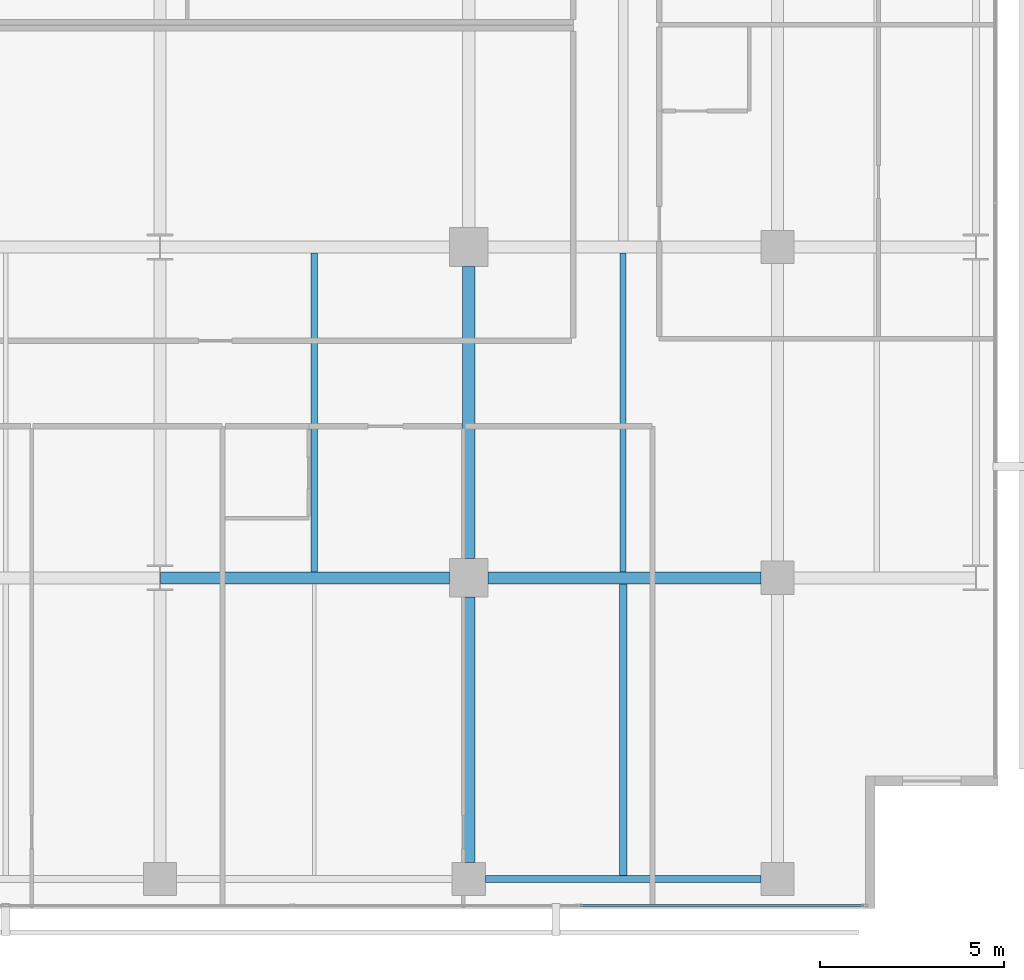
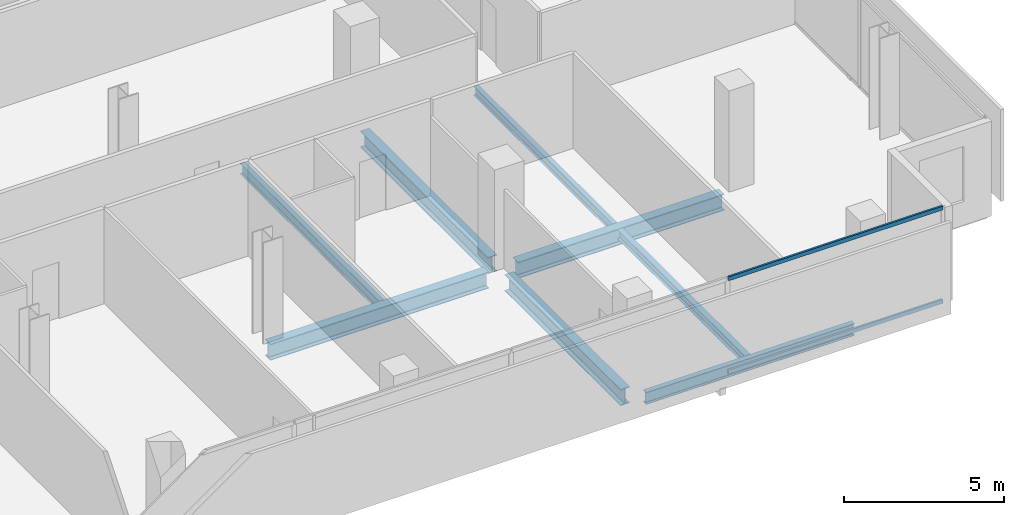
# One storey, part 15 of 39: 8 beams, 2 members, 1 element without a shape of its own.
"""IFC4 building model written with IfcOpenShell, lengths in metres."""

import ifcopenshell
import ifcopenshell.guid

model = None  # the IFC model being written
_history = None  # IfcOwnerHistory: only IFC2X3 demands one
_inside = {}  # id of a spatial element -> (the spatial element, [elements in it])
_under = {}  # id of a project, library or spatial element -> (it, [spatial elements below it])
_declared = {}  # id of a project -> (the project, [libraries it declares])
_typed = {}  # id of a type object -> (the type object, [elements of that type])
_made_of = {}  # id of a material, layer set ... -> (it, [elements and type objects made of it])


def new_model(schema):
    """Start an empty IFC model of exactly this schema.

    Asked for "IFC4X3", IfcOpenShell would pick the latest addendum, in which some entities
    have other attributes; the version numbers below select the first issue.
    IFC2X3 requires an IfcOwnerHistory on every rooted entity: one is made here for all.
    """
    global model, _history
    if schema == "IFC4X3":
        model = ifcopenshell.file(schema_version=(4, 3, 0, 0))
    else:
        model = ifcopenshell.file(schema=schema)
    _inside.clear()
    _under.clear()
    _declared.clear()
    _typed.clear()
    _made_of.clear()
    _history = None
    if model.schema == "IFC2X3":
        org = make("IfcOrganization", Name="unknown")
        user = make(
            "IfcPersonAndOrganization",
            ThePerson=make("IfcPerson", FamilyName="unknown"),
            TheOrganization=org,
        )
        app = make(
            "IfcApplication",
            ApplicationDeveloper=org,
            Version="unknown",
            ApplicationFullName="unknown",
            ApplicationIdentifier="unknown",
        )
        _history = make(
            "IfcOwnerHistory",
            OwningUser=user,
            OwningApplication=app,
            ChangeAction="ADDED",
            CreationDate=0,
        )
    return model


def make(cls, **values):
    """One entity of the class cls with the attributes given. An attribute that is None is left unset."""
    return model.create_entity(
        cls, **{name: value for name, value in values.items() if value is not None}
    )


def rooted(cls, **values):
    """An entity with a GlobalId (a new one), such as an element, a storey or a relation."""
    return make(cls, GlobalId=ifcopenshell.guid.new(), OwnerHistory=_history, **values)


def si_unit(unit_type, name, prefix=None):
    """IfcSIUnit, for example si_unit("LENGTHUNIT", "METRE", prefix="MILLI")."""
    return make("IfcSIUnit", UnitType=unit_type, Prefix=prefix, Name=name)


def assignment(units):
    """IfcUnitAssignment: the units of a project."""
    return None if units is None else make("IfcUnitAssignment", Units=units)


def point(xyz):
    """IfcCartesianPoint."""
    return None if xyz is None else make("IfcCartesianPoint", Coordinates=xyz)


def direction(xyz):
    """IfcDirection."""
    return None if xyz is None else make("IfcDirection", DirectionRatios=xyz)


def frame(location, z_axis=None, x_axis=None):
    """IfcAxis2Placement3D, a coordinate frame: its origin and axes. An axis left out is left unset."""
    return make(
        "IfcAxis2Placement3D",
        Location=point(location),
        Axis=direction(z_axis),
        RefDirection=direction(x_axis),
    )


def frame_2d(location, x_axis=None):
    """IfcAxis2Placement2D, a coordinate frame in the plane: its origin and x axis."""
    return make(
        "IfcAxis2Placement2D", Location=point(location), RefDirection=direction(x_axis)
    )


def origin():
    """The frame at (0, 0, 0) with its axes left unset."""
    return frame((0.0, 0.0, 0.0))


def origin_2d():
    """The frame at (0, 0) in the plane with its x axis left unset."""
    return frame_2d((0.0, 0.0))


def place(relative_to, where):
    """IfcLocalPlacement: puts the frame where relative to a parent placement (None: the world)."""
    return make(
        "IfcLocalPlacement", PlacementRelTo=relative_to, RelativePlacement=where
    )


def context(
    kind, dimensions, precision=None, world=None, true_north=None, identifier=None
):
    """IfcGeometricRepresentationContext, for example the 3D "Model" context."""
    return make(
        "IfcGeometricRepresentationContext",
        ContextIdentifier=identifier,
        ContextType=kind,
        CoordinateSpaceDimension=dimensions,
        Precision=precision,
        WorldCoordinateSystem=world,
        TrueNorth=true_north,
    )


def subcontext(parent, identifier, kind, view, scale=None):
    """IfcGeometricRepresentationSubContext, for example "Body" below "Model"."""
    return make(
        "IfcGeometricRepresentationSubContext",
        ContextIdentifier=identifier,
        ContextType=kind,
        ParentContext=parent,
        TargetScale=scale,
        TargetView=view,
    )


def project(units=None, contexts=None):
    """IfcProject with its units and contexts."""
    return rooted(
        "IfcProject",
        Name="project",
        RepresentationContexts=contexts,
        UnitsInContext=assignment(units),
    )


def spatial(cls, under=None, at=None, **own):
    """A site, building, storey or space (cls), placed at a placement, below another one or the project."""
    s = rooted(cls, ObjectPlacement=at, **own)
    if under is not None:
        _under.setdefault(under.id(), (under, []))[1].append(s)
    return s


def profile(cls, at=None, kind="AREA", **sizes):
    """A parametric profile (cls). Its sizes go by their IFC names, for example OverallWidth=200.0."""
    return make(cls, ProfileType=kind, Position=at, **sizes)


def hollow_rectangle(**sizes):
    """IfcRectangleHollowProfileDef."""
    return profile("IfcRectangleHollowProfileDef", **sizes)


def i_section(**sizes):
    """IfcIShapeProfileDef."""
    return profile("IfcIShapeProfileDef", **sizes)


def extrude(swept, where, along, depth):
    """IfcExtrudedAreaSolid: the profile swept, set in the frame where, extruded along a direction by depth."""
    return make(
        "IfcExtrudedAreaSolid",
        SweptArea=swept,
        Position=where,
        ExtrudedDirection=direction(along),
        Depth=depth,
    )


def shape(context_of_items, identifier, shape_type, items):
    """IfcShapeRepresentation: the items that make up one representation, for example the "Body"."""
    return make(
        "IfcShapeRepresentation",
        ContextOfItems=context_of_items,
        RepresentationIdentifier=identifier,
        RepresentationType=shape_type,
        Items=items,
    )


def material(Name=None, Category=None):
    """IfcMaterial."""
    return make("IfcMaterial", Name=Name, Category=Category)


def layer(
    of_material, thickness, ventilated=None, Name=None, Category=None, Priority=None
):
    """IfcMaterialLayer: one layer of a wall or slab, of a material (None: an air gap)."""
    return make(
        "IfcMaterialLayer",
        Material=of_material,
        LayerThickness=thickness,
        IsVentilated=ventilated,
        Name=Name,
        Category=Category,
        Priority=Priority,
    )


def layer_set(layers, Name=None):
    """IfcMaterialLayerSet."""
    return make("IfcMaterialLayerSet", MaterialLayers=layers, LayerSetName=Name)


def material_profile(
    of_material, cross_section, Name=None, Category=None, Priority=None
):
    """IfcMaterialProfile: a cross section and its material."""
    return make(
        "IfcMaterialProfile",
        Name=Name,
        Material=of_material,
        Profile=cross_section,
        Priority=Priority,
        Category=Category,
    )


def profile_set(profiles, Name=None, composite=None):
    """IfcMaterialProfileSet."""
    return make(
        "IfcMaterialProfileSet",
        Name=Name,
        MaterialProfiles=profiles,
        CompositeProfile=composite,
    )


def made_of(thing, what):
    """Note that an element or type object is made of a material, layer set ...; save() writes the relation."""
    if what is not None:
        _made_of.setdefault(what.id(), (what, []))[1].append(thing)
    return thing


def type_object(cls, material=None, **own):
    """A type object (cls), such as IfcWallType, which elements share."""
    return made_of(rooted(cls, **own), material)


def element(
    cls,
    number,
    at=None,
    inside=None,
    cuts=None,
    type_object=None,
    material=None,
    context=None,
    identifier="Body",
    shape_type=None,
    held_by="IfcProductDefinitionShape",
    body=None,
    shapes=None,
    **own,
):
    """One element of the class cls, such as IfcWall. Its Tag is "e" and its number.

    at: its placement. inside: the storey or other place that contains it. cuts: it is an
    opening in that element (IfcRelVoidsElement). A single representation is given by context,
    identifier, shape_type and body (its items); several are given by shapes. held_by: the class
    of the entity that holds the representations. save() writes the other relations.
    """
    e = rooted(cls, Tag="e%d" % number, ObjectPlacement=at, **own)
    if body is not None:
        shapes = [shape(context, identifier, shape_type, body)]
    if shapes is not None:
        e.Representation = make(held_by, Representations=shapes)
    if inside is not None:
        _inside.setdefault(inside.id(), (inside, []))[1].append(e)
    if cuts is not None:
        rooted(
            "IfcRelVoidsElement", RelatingBuildingElement=cuts, RelatedOpeningElement=e
        )
    if type_object is not None:
        _typed.setdefault(type_object.id(), (type_object, []))[1].append(e)
    return made_of(e, material)


def aggregate(whole, parts):
    """IfcRelAggregates: a whole, such as a stair, and the parts it consists of."""
    return rooted("IfcRelAggregates", RelatingObject=whole, RelatedObjects=parts)


def save(model, path):
    """Write the relations noted so far, then the file.

    IfcRelAggregates (storeys below a building ...), IfcRelContainedInSpatialStructure (elements
    in a storey), IfcRelDefinesByType, IfcRelAssociatesMaterial and IfcRelDeclares: one each for
    every whole, place, type object, material and project.
    """
    for whole, parts in _under.values():
        aggregate(whole, parts)
    for where, things in _inside.values():
        rooted(
            "IfcRelContainedInSpatialStructure",
            RelatedElements=things,
            RelatingStructure=where,
        )
    for kind, things in _typed.values():
        rooted("IfcRelDefinesByType", RelatedObjects=things, RelatingType=kind)
    for what, things in _made_of.values():
        rooted("IfcRelAssociatesMaterial", RelatedObjects=things, RelatingMaterial=what)
    for by, libraries in _declared.values():
        rooted("IfcRelDeclares", RelatingContext=by, RelatedDefinitions=libraries)
    model.write(path)


model = new_model("IFC4")

# Units and contexts
model_context = context("Model", 3, precision=1e-05, world=origin(), true_north=direction((0.0, 1.0)))
body_context = subcontext(model_context, "Body", "Model", "MODEL_VIEW")
ifc_project = project(units=[si_unit("LENGTHUNIT", "METRE"), si_unit("AREAUNIT", "SQUARE_METRE"), si_unit("VOLUMEUNIT", "CUBIC_METRE"), si_unit("PLANEANGLEUNIT", "RADIAN"), si_unit("MASSUNIT", "GRAM", prefix="KILO")], contexts=[model_context])

# Site, building, storey
site_placement = place(None, origin())
site = spatial("IfcSite", under=ifc_project, at=site_placement, CompositionType="ELEMENT")
building_placement = place(site_placement, origin())
building = spatial("IfcBuilding", under=site, at=building_placement, Name="Maruvema Waterfront Hotel and Observation Tower", CompositionType="ELEMENT")
storey_placement = place(building_placement, frame((0.0, 0.0, 65.449951171875)))
storey = spatial("IfcBuildingStorey", under=building, at=storey_placement, Name="L15", CompositionType="ELEMENT", Elevation=65.449951171875)

# Curtain wall, members
ifc_material_1 = material(Name="Anodised bronze aluminium and solar-control low-E IGU", Category="aluminium")
ifc_layer = layer(ifc_material_1, 0.159912109375, Name="Zone 1 Bronze Inner Thermal Curtain Wall System CW-02")
ifc_layer_set = layer_set([ifc_layer], Name="Anodised bronze aluminium and solar-control low-E IGU")
curtain_wall_type = type_object("IfcCurtainWallType", Name="Zone 1 Bronze Inner Thermal Curtain Wall System CW-02", PredefinedType="USERDEFINED", material=ifc_layer_set)
curtain_wall_placement = place(storey_placement, origin())
curtain_wall = element("IfcCurtainWall", 1, at=curtain_wall_placement, inside=storey, type_object=curtain_wall_type, Name="L15 Curtain Wall CW-L15-S", ObjectType="UNITISED CURTAIN WALL", PredefinedType="USERDEFINED")
ifc_material_2 = material(Name="Anodised architectural bronze aluminium", Category="aluminium")
ifc_material_profile_1 = material_profile(ifc_material_2, hollow_rectangle(XDim=0.070068359375, YDim=0.14990234375, WallThickness=0.00390625, at=origin_2d()), Name="ALU-T70x150")
ifc_profile_set_1 = profile_set([ifc_material_profile_1], Name="Anodised architectural bronze aluminium")
member_type = type_object("IfcMemberType", Name="Curtain Wall Horizontal Transom ALU-T70x150", PredefinedType="USERDEFINED", material=ifc_profile_set_1)
member_1_placement = place(storey_placement, frame((53.429931640625, 0.080078125, 0.030029296875), z_axis=(1.0, 0.0, 0.0), x_axis=(0.0, 1.0, 0.0)))
member_1 = element("IfcMember", 2, at=member_1_placement, type_object=member_type, Name="CW-02 transom 6.1", ObjectType="TRANSOM", PredefinedType="USERDEFINED", context=body_context, shape_type="SweptSolid", body=[
    extrude(hollow_rectangle(XDim=0.070068359375, YDim=0.14990234375, WallThickness=0.00390625, at=origin_2d()), origin(), (0.0, 0.0, 1.0), 7.7099609375),
])
member_2_placement = place(storey_placement, frame((53.429931640625, 0.080078125, 3.580078125), z_axis=(1.0, 0.0, 0.0), x_axis=(0.0, 1.0, 0.0)))
member_2 = element("IfcMember", 3, at=member_2_placement, type_object=member_type, Name="CW-02 transom 6.2", ObjectType="TRANSOM", PredefinedType="USERDEFINED", context=body_context, shape_type="SweptSolid", body=[
    extrude(hollow_rectangle(XDim=0.070068359375, YDim=0.14990234375, WallThickness=0.00390625, at=origin_2d()), origin(), (0.0, 0.0, 1.0), 7.7099609375),
])
aggregate(curtain_wall, [member_1, member_2])

# Beams
ifc_material_3 = material(Name="Steel ASTM A572 Grade 50", Category="steel")
ifc_material_profile_2 = material_profile(ifc_material_3, i_section(OverallWidth=0.18994140625, OverallDepth=0.45703125, WebThickness=0.009033203125, FlangeThickness=0.014404296875, FilletRadius=0.014892578125, at=origin_2d()), Name="W460x74.0")
ifc_profile_set_2 = profile_set([ifc_material_profile_2], Name="Steel ASTM A572 Grade 50")
beam_type_1 = type_object("IfcBeamType", Name="Perimeter Spandrel Beam W460x74.0", PredefinedType="SPANDREL", material=ifc_profile_set_2)
beam_1_placement = place(storey_placement, frame((50.85009765625, 0.800048828125, -0.468505859375), z_axis=(1.0, 0.0, 0.0), x_axis=(0.0, 1.0, 0.0)))
element("IfcBeam", 4, at=beam_1_placement, inside=storey, type_object=beam_type_1, Name="L15 Floor Girder EW-05", PredefinedType="SPANDREL", context=body_context, shape_type="SweptSolid", body=[
    extrude(i_section(OverallWidth=0.18994140625, OverallDepth=0.45703125, WebThickness=0.009033203125, FlangeThickness=0.014404296875, FilletRadius=0.014892578125, at=origin_2d()), origin(), (0.0, 0.0, 1.0), 7.5),
])
ifc_material_4 = material(Name="Steel ASTM A572 Grade 50", Category="steel")
ifc_material_profile_3 = material_profile(ifc_material_4, i_section(OverallWidth=0.326904296875, OverallDepth=0.6220703125, WebThickness=0.015380859375, FlangeThickness=0.0244140625, FilletRadius=0.01806640625, at=origin_2d()), Name="W610x195.0")
ifc_profile_set_3 = profile_set([ifc_material_profile_3], Name="Steel ASTM A572 Grade 50")
beam_type_2 = type_object("IfcBeamType", Name="Primary Floor Girder W610x195.0", PredefinedType="BEAM", material=ifc_profile_set_3)
beam_2_placement = place(storey_placement, frame((42.013916015625, 9.0, -0.551025390625), z_axis=(1.0, 0.0, 0.0), x_axis=(0.0, 1.0, 0.0)))
element("IfcBeam", 5, at=beam_2_placement, inside=storey, type_object=beam_type_2, Name="L15 Floor Girder EW-10", PredefinedType="BEAM", context=body_context, shape_type="SweptSolid", body=[
    extrude(i_section(OverallWidth=0.326904296875, OverallDepth=0.6220703125, WebThickness=0.015380859375, FlangeThickness=0.0244140625, FilletRadius=0.01806640625, at=origin_2d()), origin(), (0.0, 0.0, 1.0), 7.861083984375),
])
beam_3_placement = place(storey_placement, frame((50.925048828125, 9.0, -0.551025390625), z_axis=(1.0, 0.0, 0.0), x_axis=(0.0, 1.0, 0.0)))
element("IfcBeam", 6, at=beam_3_placement, inside=storey, type_object=beam_type_2, Name="L15 Floor Girder EW-11", PredefinedType="BEAM", context=body_context, shape_type="SweptSolid", body=[
    extrude(i_section(OverallWidth=0.326904296875, OverallDepth=0.6220703125, WebThickness=0.015380859375, FlangeThickness=0.0244140625, FilletRadius=0.01806640625, at=origin_2d()), origin(), (0.0, 0.0, 1.0), 7.425048828125),
])
beam_4_placement = place(storey_placement, frame((50.39990234375, 1.25, -0.551025390625), z_axis=(0.0, 1.0, 0.0), x_axis=(-1.0, 0.0, 0.0)))
element("IfcBeam", 7, at=beam_4_placement, inside=storey, type_object=beam_type_2, Name="L15 Floor Girder NS-22", PredefinedType="BEAM", context=body_context, shape_type="SweptSolid", body=[
    extrude(i_section(OverallWidth=0.326904296875, OverallDepth=0.6220703125, WebThickness=0.015380859375, FlangeThickness=0.0244140625, FilletRadius=0.01806640625, at=origin_2d()), origin(), (0.0, 0.0, 1.0), 7.22509765625),
])
beam_5_placement = place(storey_placement, frame((50.39990234375, 9.52490234375, -0.551025390625), z_axis=(0.0, 1.0, 0.0), x_axis=(-1.0, 0.0, 0.0)))
element("IfcBeam", 8, at=beam_5_placement, inside=storey, type_object=beam_type_2, Name="L15 Floor Girder NS-23", PredefinedType="BEAM", context=body_context, shape_type="SweptSolid", body=[
    extrude(i_section(OverallWidth=0.326904296875, OverallDepth=0.6220703125, WebThickness=0.015380859375, FlangeThickness=0.0244140625, FilletRadius=0.01806640625, at=origin_2d()), origin(), (0.0, 0.0, 1.0), 7.9501953125),
])
ifc_material_5 = material(Name="Steel ASTM A572 Grade 50", Category="steel")
ifc_material_profile_4 = material_profile(ifc_material_5, i_section(OverallWidth=0.1708984375, OverallDepth=0.35498046875, WebThickness=0.007080078125, FlangeThickness=0.01171875, FilletRadius=0.014892578125, at=origin_2d()), Name="W360x51.0")
ifc_profile_set_4 = profile_set([ifc_material_profile_4], Name="Steel ASTM A572 Grade 50")
beam_type_3 = type_object("IfcBeamType", Name="Secondary Floor Joist W360x51.0", PredefinedType="JOIST", material=ifc_profile_set_4)
beam_6_placement = place(storey_placement, frame((54.60009765625, 9.16357421875, -0.41748046875), z_axis=(0.0, 1.0, 0.0), x_axis=(-1.0, 0.0, 0.0)))
element("IfcBeam", 9, at=beam_6_placement, inside=storey, type_object=beam_type_3, Name="L15 Secondary Floor Joist JS-17", PredefinedType="JOIST", context=body_context, shape_type="SweptSolid", body=[
    extrude(i_section(OverallWidth=0.1708984375, OverallDepth=0.35498046875, WebThickness=0.007080078125, FlangeThickness=0.01171875, FilletRadius=0.014892578125, at=origin_2d()), origin(), (0.0, 0.0, 1.0), 8.6728515625),
])
ifc_material_6 = material(Name="Steel ASTM A572 Grade 50", Category="steel")
ifc_material_profile_5 = material_profile(ifc_material_6, i_section(OverallWidth=0.202880859375, OverallDepth=0.346923828125, WebThickness=0.0078125, FlangeThickness=0.013427734375, FilletRadius=0.014892578125, at=origin_2d()), Name="W360x64.0")
ifc_profile_set_5 = profile_set([ifc_material_profile_5], Name="Steel ASTM A572 Grade 50")
beam_type_4 = type_object("IfcBeamType", Name="Secondary Floor Joist W360x64.0", PredefinedType="JOIST", material=ifc_profile_set_5)
beam_7_placement = place(storey_placement, frame((54.60009765625, 0.89501953125, -0.413330078125), z_axis=(0.0, 1.0, 0.0), x_axis=(-1.0, 0.0, 0.0)))
element("IfcBeam", 10, at=beam_7_placement, inside=storey, type_object=beam_type_4, Name="L15 Secondary Floor Joist JS-16", PredefinedType="JOIST", context=body_context, shape_type="SweptSolid", body=[
    extrude(i_section(OverallWidth=0.202880859375, OverallDepth=0.346923828125, WebThickness=0.0078125, FlangeThickness=0.013427734375, FilletRadius=0.014892578125, at=origin_2d()), origin(), (0.0, 0.0, 1.0), 7.94140625),
])
ifc_material_7 = material(Name="Steel ASTM A572 Grade 50", Category="steel")
ifc_material_profile_6 = material_profile(ifc_material_7, i_section(OverallWidth=0.177001953125, OverallDepth=0.403076171875, WebThickness=0.007568359375, FlangeThickness=0.010986328125, FilletRadius=0.014892578125, at=origin_2d()), Name="W410x53.0")
ifc_profile_set_6 = profile_set([ifc_material_profile_6], Name="Steel ASTM A572 Grade 50")
beam_type_5 = type_object("IfcBeamType", Name="Secondary Floor Joist W410x53.0", PredefinedType="JOIST", material=ifc_profile_set_6)
beam_8_placement = place(storey_placement, frame((46.199951171875, 9.16357421875, -0.44140625), z_axis=(0.0, 1.0, 0.0), x_axis=(-1.0, 0.0, 0.0)))
element("IfcBeam", 11, at=beam_8_placement, inside=storey, type_object=beam_type_5, Name="L15 Secondary Floor Joist JS-15", PredefinedType="JOIST", context=body_context, shape_type="SweptSolid", body=[
    extrude(i_section(OverallWidth=0.177001953125, OverallDepth=0.403076171875, WebThickness=0.007568359375, FlangeThickness=0.010986328125, FilletRadius=0.014892578125, at=origin_2d()), origin(), (0.0, 0.0, 1.0), 8.6728515625),
])

save(model, "model.ifc")
